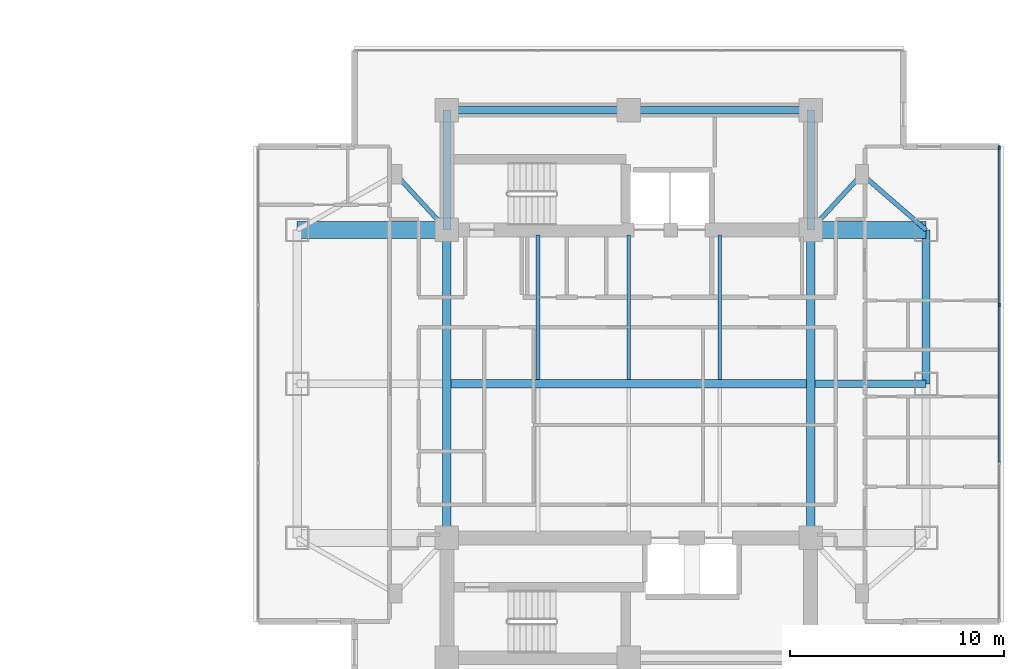
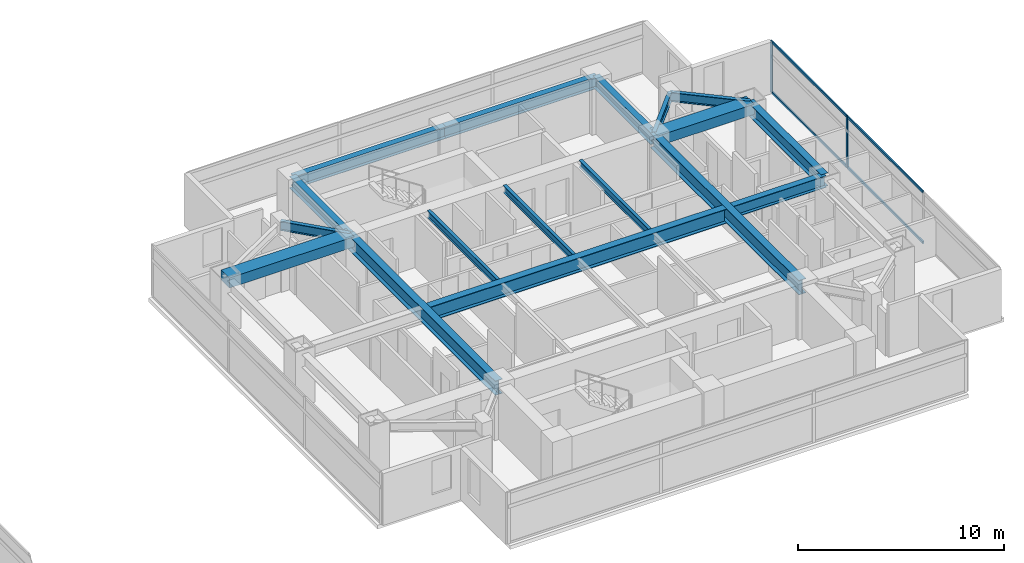
# One storey, part 11 of 27: 17 beams, 6 members, 1 element without a shape of its own.
"""IFC4 building model written with IfcOpenShell, lengths in metres."""

from ifc_helpers import new_model, si_unit, direction, frame, origin, origin_2d, place, context, subcontext, project, spatial, rectangle, i_section, extrude, material, material_profile, profile_set, type_object, element, aggregate, save


model = new_model("IFC4")

# Units and contexts
model_context = context("Model", 3, precision=1e-05, world=origin(), true_north=direction((0.0, 1.0)))
body_context = subcontext(model_context, "Body", "Model", "MODEL_VIEW")
ifc_project = project(units=[si_unit("LENGTHUNIT", "METRE"), si_unit("AREAUNIT", "SQUARE_METRE"), si_unit("VOLUMEUNIT", "CUBIC_METRE"), si_unit("PLANEANGLEUNIT", "RADIAN"), si_unit("MASSUNIT", "GRAM", prefix="KILO")], contexts=[model_context])

# Site, building, storey
site_placement = place(None, origin())
site = spatial("IfcSite", under=ifc_project, at=site_placement, CompositionType="ELEMENT")
building_placement = place(site_placement, origin())
building = spatial("IfcBuilding", under=site, at=building_placement, Name="Mirazonda Arch Towers", CompositionType="ELEMENT")
storey_placement = place(building_placement, frame((0.0, 0.0, 124.699951171875)))
storey = spatial("IfcBuildingStorey", under=building, at=storey_placement, Name="L35", CompositionType="ELEMENT", Elevation=124.699951171875)

# Beams
ifc_material_1 = material(Name="Steel ASTM A992 Grade 50", Category="steel")
ifc_material_profile_1 = material_profile(ifc_material_1, i_section(OverallWidth=0.381103515625, OverallDepth=0.77294921875, WebThickness=0.0166015625, FlangeThickness=0.027099609375, at=origin_2d()), Name="W30X173")
ifc_profile_set_1 = profile_set([ifc_material_profile_1], Name="Steel ASTM A992 Grade 50")
beam_type_1 = type_object("IfcBeamType", Name="BM-EXT-W30X173", PredefinedType="USERDEFINED", material=ifc_profile_set_1)
beam_1_placement = place(storey_placement, frame((90.39990234375, 28.0, 2.693603515625), z_axis=(0.0, 1.0, 0.0), x_axis=(-1.0, 0.0, 0.0)))
element("IfcBeam", 1, at=beam_1_placement, inside=storey, type_object=beam_type_1, Name="L35 Floor Beam BM-T2-L35-NS-E-28", ObjectType="GIRDER", PredefinedType="USERDEFINED", context=body_context, shape_type="SweptSolid", body=[
    extrude(i_section(OverallWidth=0.381103515625, OverallDepth=0.77294921875, WebThickness=0.0166015625, FlangeThickness=0.027099609375, at=origin_2d()), origin(), (0.0, 0.0, 1.0), 7.199951171875),
])
ifc_material_profile_2 = material_profile(ifc_material_1, i_section(OverallWidth=0.180908203125, OverallDepth=0.4169921875, WebThickness=0.010986328125, FlangeThickness=0.018310546875, at=origin_2d()), Name="W16X57")
ifc_profile_set_2 = profile_set([ifc_material_profile_2], Name="Steel ASTM A992 Grade 50")
beam_type_2 = type_object("IfcBeamType", Name="BM-INT-W16X57", PredefinedType="JOIST", material=ifc_profile_set_2)
for number, where, z_axis, x_axis, name in (
    (2, (72.25, 28.196044921875, 2.87158203125), (0.0, 1.0, 0.0), (-1.0, 0.0, 0.0), "L35 Floor Beam BM-T2-L35-J-722-28"),
    (3, (76.5, 28.196044921875, 2.87158203125), (0.0, 1.0, 0.0), (-1.0, 0.0, 0.0), "L35 Floor Beam BM-T2-L35-J-765-28"),
    (4, (80.75, 28.196044921875, 2.87158203125), (0.0, 1.0, 0.0), (-1.0, 0.0, 0.0), "L35 Floor Beam BM-T2-L35-J-807-28"),
):
    element("IfcBeam", number, at=place(storey_placement, frame(where, z_axis=z_axis, x_axis=x_axis)), inside=storey, type_object=beam_type_2, Name=name, PredefinedType="JOIST", context=body_context, shape_type="SweptSolid", body=[
        extrude(i_section(OverallWidth=0.180908203125, OverallDepth=0.4169921875, WebThickness=0.010986328125, FlangeThickness=0.018310546875, at=origin_2d()), origin(), (0.0, 0.0, 1.0), 6.763916015625),
    ])
ifc_material_profile_3 = material_profile(ifc_material_1, i_section(OverallWidth=0.214111328125, OverallDepth=0.549072265625, WebThickness=0.0146484375, FlangeThickness=0.023681640625, at=origin_2d()), Name="W21X93")
ifc_profile_set_3 = profile_set([ifc_material_profile_3], Name="Steel ASTM A992 Grade 50")
beam_type_3 = type_object("IfcBeamType", Name="BM-INT-W21X93", PredefinedType="BEAM", material=ifc_profile_set_3)
for number, where, z_axis, x_axis, name in (
    (5, (65.60009765625, 37.800048828125, 2.8056640625), (0.678251444854, -0.734829897019, 0.0), (0.734829897019, 0.678251444854, 0.0), "L35 Floor Beam BM-T2-L35-PL-NW1"),
    (6, (87.39990234375, 37.800048828125, 2.8056640625), (-0.678251444854, -0.734829897019, 0.0), (0.734829897019, -0.678251444854, 0.0), "L35 Floor Beam BM-T2-L35-PL-NE1"),
):
    element("IfcBeam", number, at=place(storey_placement, frame(where, z_axis=z_axis, x_axis=x_axis)), inside=storey, type_object=beam_type_3, Name=name, PredefinedType="BEAM", context=body_context, shape_type="SweptSolid", body=[
        extrude(i_section(OverallWidth=0.214111328125, OverallDepth=0.549072265625, WebThickness=0.0146484375, FlangeThickness=0.023681640625, at=origin_2d()), origin(), (0.0, 0.0, 1.0), 3.538330078125),
    ])
beam_2_placement = place(storey_placement, frame((87.39990234375, 37.800048828125, 2.8056640625), z_axis=(0.755676908098, -0.654944585876, 0.0), x_axis=(0.654944585876, 0.755676908098, 0.0)))
element("IfcBeam", 7, at=beam_2_placement, inside=storey, type_object=beam_type_3, Name="L35 Floor Beam BM-T2-L35-PL-NE2", PredefinedType="BEAM", context=body_context, shape_type="SweptSolid", body=[
    extrude(i_section(OverallWidth=0.214111328125, OverallDepth=0.549072265625, WebThickness=0.0146484375, FlangeThickness=0.023681640625, at=origin_2d()), origin(), (0.0, 0.0, 1.0), 3.969970703125),
])
ifc_material_profile_4 = material_profile(ifc_material_1, i_section(OverallWidth=0.35498046875, OverallDepth=0.696044921875, WebThickness=0.015380859375, FlangeThickness=0.02490234375, at=origin_2d()), Name="W27X146")
ifc_profile_set_4 = profile_set([ifc_material_profile_4], Name="Steel ASTM A992 Grade 50")
beam_type_4 = type_object("IfcBeamType", Name="BM-INT-W27X146", PredefinedType="BEAM", material=ifc_profile_set_4)
for number, where, z_axis, x_axis, name in (
    (8, (68.0, 40.800048828125, 2.73193359375), (1.0, 0.0, 0.0), (0.0, 1.0, 0.0), "L35 Floor Beam BM-T2-L35-CN1"),
    (9, (76.5, 40.800048828125, 2.73193359375), (1.0, 0.0, 0.0), (0.0, 1.0, 0.0), "L35 Floor Beam BM-T2-L35-CN2"),
):
    element("IfcBeam", number, at=place(storey_placement, frame(where, z_axis=z_axis, x_axis=x_axis)), inside=storey, type_object=beam_type_4, Name=name, PredefinedType="BEAM", context=body_context, shape_type="SweptSolid", body=[
        extrude(i_section(OverallWidth=0.35498046875, OverallDepth=0.696044921875, WebThickness=0.015380859375, FlangeThickness=0.02490234375, at=origin_2d()), origin(), (0.0, 0.0, 1.0), 8.5),
    ])
for number, where, z_axis, x_axis, name in (
    (10, (68.0, 35.199951171875, 2.73193359375), (0.0, 1.0, 0.0), (-1.0, 0.0, 0.0), "L35 Floor Beam BM-T2-L35-CNW"),
    (11, (85.0, 35.199951171875, 2.73193359375), (0.0, 1.0, 0.0), (-1.0, 0.0, 0.0), "L35 Floor Beam BM-T2-L35-CNE"),
):
    element("IfcBeam", number, at=place(storey_placement, frame(where, z_axis=z_axis, x_axis=x_axis)), inside=storey, type_object=beam_type_4, Name=name, PredefinedType="BEAM", context=body_context, shape_type="SweptSolid", body=[
        extrude(i_section(OverallWidth=0.35498046875, OverallDepth=0.696044921875, WebThickness=0.015380859375, FlangeThickness=0.02490234375, at=origin_2d()), origin(), (0.0, 0.0, 1.0), 5.60009765625),
    ])
beam_3_placement = place(storey_placement, frame((85.199951171875, 28.0, 2.73193359375), z_axis=(1.0, 0.0, 0.0), x_axis=(0.0, 1.0, 0.0)))
element("IfcBeam", 12, at=beam_3_placement, inside=storey, type_object=beam_type_4, Name="L35 Floor Beam BM-T2-L35-GE2", PredefinedType="BEAM", context=body_context, shape_type="SweptSolid", body=[
    extrude(i_section(OverallWidth=0.35498046875, OverallDepth=0.696044921875, WebThickness=0.015380859375, FlangeThickness=0.02490234375, at=origin_2d()), origin(), (0.0, 0.0, 1.0), 5.199951171875),
])
ifc_material_profile_5 = material_profile(ifc_material_1, i_section(OverallWidth=0.39990234375, OverallDepth=0.85595703125, WebThickness=0.018310546875, FlangeThickness=0.029296875, at=origin_2d()), Name="W33X201")
ifc_profile_set_5 = profile_set([ifc_material_profile_5], Name="Steel ASTM A992 Grade 50")
beam_type_5 = type_object("IfcBeamType", Name="BM-INT-W33X201", PredefinedType="USERDEFINED", material=ifc_profile_set_5)
beam_4_placement = place(storey_placement, frame((68.199951171875, 28.0, 2.652099609375), z_axis=(1.0, 0.0, 0.0), x_axis=(0.0, 1.0, 0.0)))
element("IfcBeam", 13, at=beam_4_placement, inside=storey, type_object=beam_type_5, Name="L35 Floor Beam BM-T2-L35-GC2", ObjectType="GIRDER", PredefinedType="USERDEFINED", context=body_context, shape_type="SweptSolid", body=[
    extrude(i_section(OverallWidth=0.39990234375, OverallDepth=0.85595703125, WebThickness=0.018310546875, FlangeThickness=0.029296875, at=origin_2d()), origin(), (0.0, 0.0, 1.0), 16.60009765625),
])
for number, where, z_axis, x_axis, name in (
    (14, (68.0, 20.800048828125, 2.652099609375), (0.0, 1.0, 0.0), (-1.0, 0.0, 0.0), "L35 Floor Beam BM-T2-L35-NS-CW-FULL"),
    (15, (85.0, 20.800048828125, 2.652099609375), (0.0, 1.0, 0.0), (-1.0, 0.0, 0.0), "L35 Floor Beam BM-T2-L35-NS-CE-FULL"),
):
    element("IfcBeam", number, at=place(storey_placement, frame(where, z_axis=z_axis, x_axis=x_axis)), inside=storey, type_object=beam_type_5, Name=name, ObjectType="GIRDER", PredefinedType="USERDEFINED", context=body_context, shape_type="SweptSolid", body=[
        extrude(i_section(OverallWidth=0.39990234375, OverallDepth=0.85595703125, WebThickness=0.018310546875, FlangeThickness=0.029296875, at=origin_2d()), origin(), (0.0, 0.0, 1.0), 14.39990234375),
    ])
ifc_material_2 = material(Name="Concrete C60/75", Category="concrete")
ifc_material_profile_6 = material_profile(ifc_material_2, rectangle(XDim=0.800048828125, YDim=0.60009765625, at=origin_2d()), Name="RCCB800x600")
ifc_profile_set_6 = profile_set([ifc_material_profile_6], Name="Concrete C60/75")
beam_type_6 = type_object("IfcBeamType", Name="CB-INT-RCCB800x600", PredefinedType="SPANDREL", material=ifc_profile_set_6)
beam_5_placement = place(storey_placement, frame((61.0, 35.199951171875, 2.780029296875), z_axis=(1.0, 0.0, 0.0), x_axis=(0.0, 1.0, 0.0)))
element("IfcBeam", 16, at=beam_5_placement, inside=storey, type_object=beam_type_6, Name="L35 Floor Beam CBC-T2-L35-NW", PredefinedType="SPANDREL", context=body_context, shape_type="SweptSolid", body=[
    extrude(rectangle(XDim=0.800048828125, YDim=0.60009765625, at=origin_2d()), origin(), (0.0, 0.0, 1.0), 7.0),
])
beam_6_placement = place(storey_placement, frame((85.0, 35.199951171875, 2.780029296875), z_axis=(1.0, 0.0, 0.0), x_axis=(0.0, 1.0, 0.0)))
element("IfcBeam", 17, at=beam_6_placement, inside=storey, type_object=beam_type_6, Name="L35 Floor Beam CBC-T2-L35-NE", PredefinedType="SPANDREL", context=body_context, shape_type="SweptSolid", body=[
    extrude(rectangle(XDim=0.800048828125, YDim=0.60009765625, at=origin_2d()), origin(), (0.0, 0.0, 1.0), 5.39990234375),
])

# Curtain wall, members
ifc_material_3 = material(Name="Anodised Aluminium and Low-E Glass", Category="aluminium")
curtain_wall_type = type_object("IfcCurtainWallType", Name="CW-HTL-UNIT", PredefinedType="NOTDEFINED", material=ifc_material_3)
curtain_wall_placement = place(storey_placement, origin())
curtain_wall = element("IfcCurtainWall", 18, at=curtain_wall_placement, inside=storey, type_object=curtain_wall_type, Name="L35 T2 E Facade CW-L35-T2-E", PredefinedType="NOTDEFINED")
ifc_material_4 = material(Name="Anodised Aluminium Alloy", Category="aluminium")
ifc_material_profile_7 = material_profile(ifc_material_4, rectangle(XDim=0.074951171875, YDim=0.1650390625, at=origin_2d()), Name="ALU-MULL-75x165")
ifc_profile_set_7 = profile_set([ifc_material_profile_7], Name="Anodised Aluminium Alloy")
member_type_1 = type_object("IfcMemberType", Name="MULL-CW-HTL-UNIT", PredefinedType="MULLION", material=ifc_profile_set_7)
member_1_placement = place(storey_placement, frame((93.821044921875, 31.69970703125, 0.0), z_axis=(0.0, 0.0, 1.0), x_axis=(-1.0, 0.0, 0.0)))
member_1 = element("IfcMember", 19, at=member_1_placement, type_object=member_type_1, Name="CW-112 mullion 3", PredefinedType="MULLION", context=body_context, shape_type="SweptSolid", body=[
    extrude(rectangle(XDim=0.074951171875, YDim=0.1650390625, at=origin_2d()), origin(), (0.0, 0.0, 1.0), 3.06005859375),
])
member_2_placement = place(storey_placement, frame((93.821044921875, 39.0615234375, 0.0), z_axis=(0.0, 0.0, 1.0), x_axis=(-1.0, 0.0, 0.0)))
member_2 = element("IfcMember", 20, at=member_2_placement, type_object=member_type_1, Name="CW-112 mullion 4", PredefinedType="MULLION", context=body_context, shape_type="SweptSolid", body=[
    extrude(rectangle(XDim=0.074951171875, YDim=0.1650390625, at=origin_2d()), origin(), (0.0, 0.0, 1.0), 3.06005859375),
])
ifc_material_profile_8 = material_profile(ifc_material_4, rectangle(XDim=0.074951171875, YDim=0.14501953125, at=origin_2d()), Name="ALU-TRAN-75x145")
ifc_profile_set_8 = profile_set([ifc_material_profile_8], Name="Anodised Aluminium Alloy")
member_type_2 = type_object("IfcMemberType", Name="TRAN-CW-HTL-UNIT", PredefinedType="USERDEFINED", material=ifc_profile_set_8)
member_3_placement = place(storey_placement, frame((93.821044921875, 24.337890625, 0.03759765625), z_axis=(0.0, 1.0, 0.0), x_axis=(-1.0, 0.0, 0.0)))
member_3 = element("IfcMember", 21, at=member_3_placement, type_object=member_type_2, Name="CW-112 transom 2.1", ObjectType="TRANSOM", PredefinedType="USERDEFINED", context=body_context, shape_type="SweptSolid", body=[
    extrude(rectangle(XDim=0.074951171875, YDim=0.14501953125, at=origin_2d()), origin(), (0.0, 0.0, 1.0), 7.32421875),
])
member_4_placement = place(storey_placement, frame((93.821044921875, 24.337890625, 3.0224609375), z_axis=(0.0, 1.0, 0.0), x_axis=(-1.0, 0.0, 0.0)))
member_4 = element("IfcMember", 22, at=member_4_placement, type_object=member_type_2, Name="CW-112 transom 2.2", ObjectType="TRANSOM", PredefinedType="USERDEFINED", context=body_context, shape_type="SweptSolid", body=[
    extrude(rectangle(XDim=0.074951171875, YDim=0.14501953125, at=origin_2d()), origin(), (0.0, 0.0, 1.0), 7.32421875),
])
member_5_placement = place(storey_placement, frame((93.821044921875, 31.7373046875, 0.03759765625), z_axis=(0.0, 1.0, 0.0), x_axis=(-1.0, 0.0, 0.0)))
member_5 = element("IfcMember", 23, at=member_5_placement, type_object=member_type_2, Name="CW-112 transom 3.1", ObjectType="TRANSOM", PredefinedType="USERDEFINED", context=body_context, shape_type="SweptSolid", body=[
    extrude(rectangle(XDim=0.074951171875, YDim=0.14501953125, at=origin_2d()), origin(), (0.0, 0.0, 1.0), 7.286865234375),
])
member_6_placement = place(storey_placement, frame((93.821044921875, 31.7373046875, 3.0224609375), z_axis=(0.0, 1.0, 0.0), x_axis=(-1.0, 0.0, 0.0)))
member_6 = element("IfcMember", 24, at=member_6_placement, type_object=member_type_2, Name="CW-112 transom 3.2", ObjectType="TRANSOM", PredefinedType="USERDEFINED", context=body_context, shape_type="SweptSolid", body=[
    extrude(rectangle(XDim=0.074951171875, YDim=0.14501953125, at=origin_2d()), origin(), (0.0, 0.0, 1.0), 7.286865234375),
])
aggregate(curtain_wall, [member_1, member_2, member_3, member_4, member_5, member_6])

save(model, "model.ifc")
